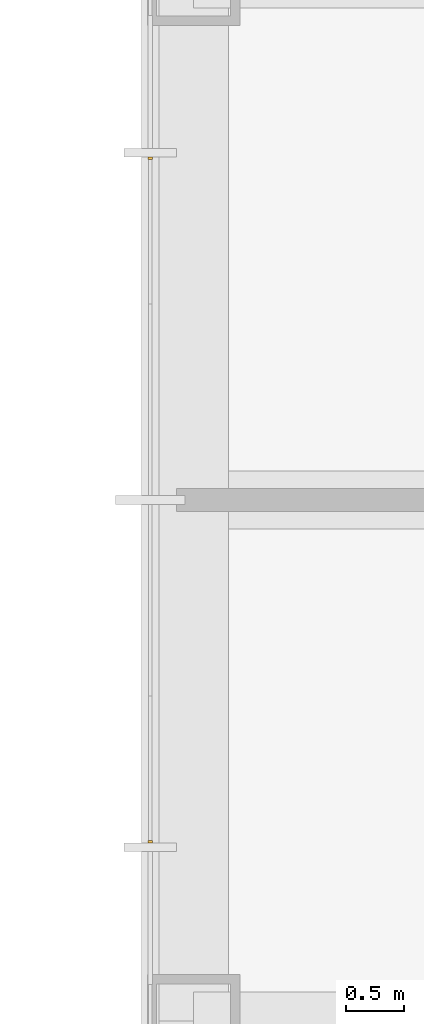
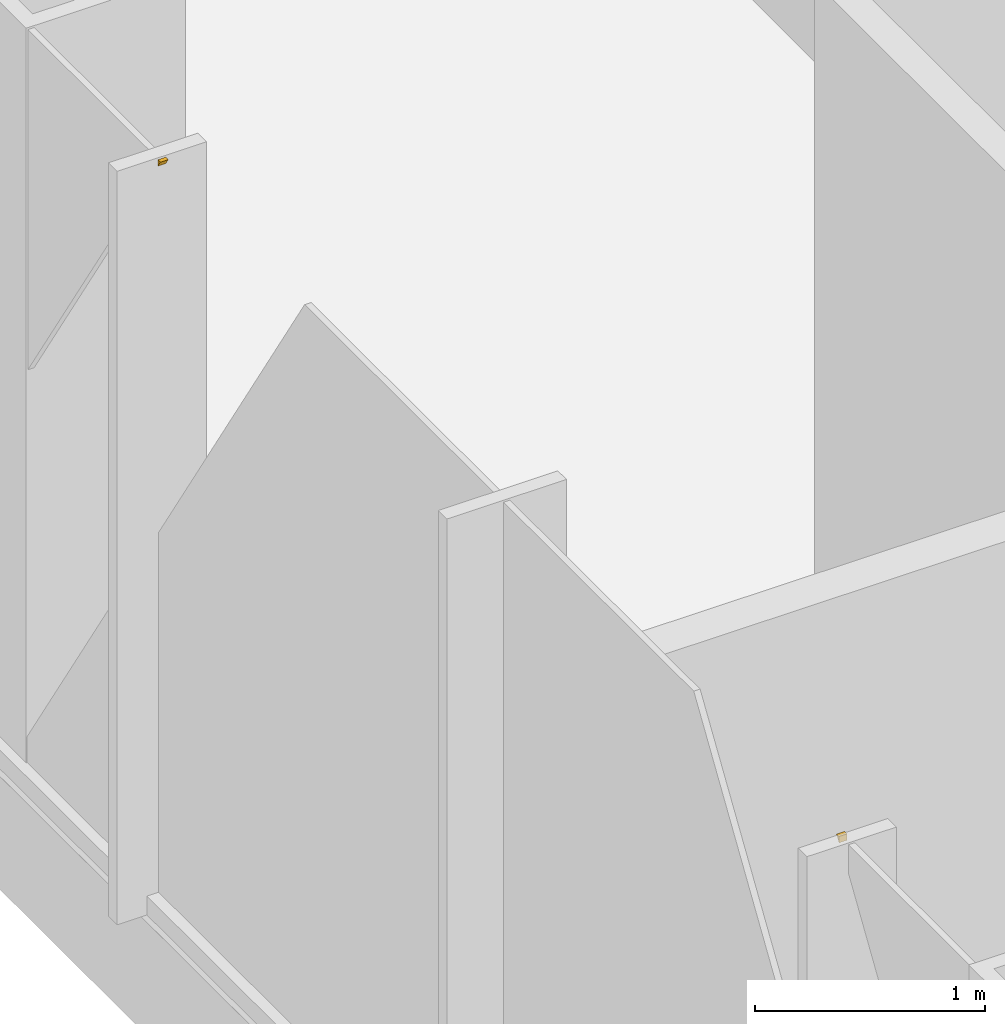
# One storey, part 15 of 17: 2 coverings.
"""IFC4 building model written with IfcOpenShell, lengths in metres."""

from ifc_helpers import new_model, si_unit, direction, frame, origin, place, context, subcontext, project, spatial, polyline, outline, extrude, material, layer, layer_set, type_object, element, save


model = new_model("IFC4")

# Units and contexts
model_context = context("Model", 3, precision=1e-05, world=origin(), true_north=direction((0.0, 1.0)))
body_context = subcontext(model_context, "Body", "Model", "MODEL_VIEW")
ifc_project = project(units=[si_unit("LENGTHUNIT", "METRE"), si_unit("AREAUNIT", "SQUARE_METRE"), si_unit("VOLUMEUNIT", "CUBIC_METRE"), si_unit("PLANEANGLEUNIT", "RADIAN"), si_unit("MASSUNIT", "GRAM", prefix="KILO")], contexts=[model_context])

# Site, building, storey
site_placement = place(None, origin())
site = spatial("IfcSite", under=ifc_project, at=site_placement, CompositionType="ELEMENT")
building_placement = place(site_placement, origin())
building = spatial("IfcBuilding", under=site, at=building_placement, Name="Malebo Sky Hospital", CompositionType="ELEMENT")
storey_placement = place(building_placement, frame((0.0, 0.0, 237.0)))
storey = spatial("IfcBuildingStorey", under=building, at=storey_placement, Name="L57", CompositionType="ELEMENT", Elevation=237.0)

# Coverings
ifc_material = material(Name="Anodised aluminium, natural silver insulated infill panel", Category="aluminium")
ifc_layer = layer(ifc_material, 0.0400390625)
ifc_layer_set = layer_set([ifc_layer], Name="BRACE INFILL PANEL 40")
covering_type = type_object("IfcCoveringType", Name="BRACE INFILL PANEL 40", PredefinedType="CLADDING", material=ifc_layer_set)
covering_1_placement = place(storey_placement, frame((37.425048828125, 59.04833984375, 3.956298828125), z_axis=(0.0, 0.0, 1.0), x_axis=(0.0, 1.0, 0.0)))
element("IfcCovering", 1, at=covering_1_placement, inside=storey, type_object=covering_type, Name="Brace infill panel 7.1", PredefinedType="CLADDING", context=body_context, shape_type="SweptSolid", body=[
    extrude(outline(polyline([(-0.0107421875, 0.0), (0.0107421875, 0.03369140625), (-0.0107421875, 0.03369140625), (-0.0107421875, 0.0)])), frame((0.0, 0.02001953125, 0.0), z_axis=(0.0, -1.0, 0.0), x_axis=(1.0, 0.0, 0.0)), (0.0, 0.0, 1.0), 0.0400390625),
])
covering_2_placement = place(storey_placement, frame((37.425048828125, 64.95166015625, 3.956298828125), z_axis=(0.0, 0.0, 1.0), x_axis=(0.0, 1.0, 0.0)))
element("IfcCovering", 2, at=covering_2_placement, inside=storey, type_object=covering_type, Name="Brace infill panel 8.1", PredefinedType="CLADDING", context=body_context, shape_type="SweptSolid", body=[
    extrude(outline(polyline([(0.0107421875, 0.0), (0.0107421875, 0.03369140625), (-0.0107421875, 0.03369140625), (0.0107421875, 0.0)])), frame((0.0, 0.02001953125, 0.0), z_axis=(0.0, -1.0, 0.0), x_axis=(1.0, 0.0, 0.0)), (0.0, 0.0, 1.0), 0.0400390625),
])

save(model, "model.ifc")
